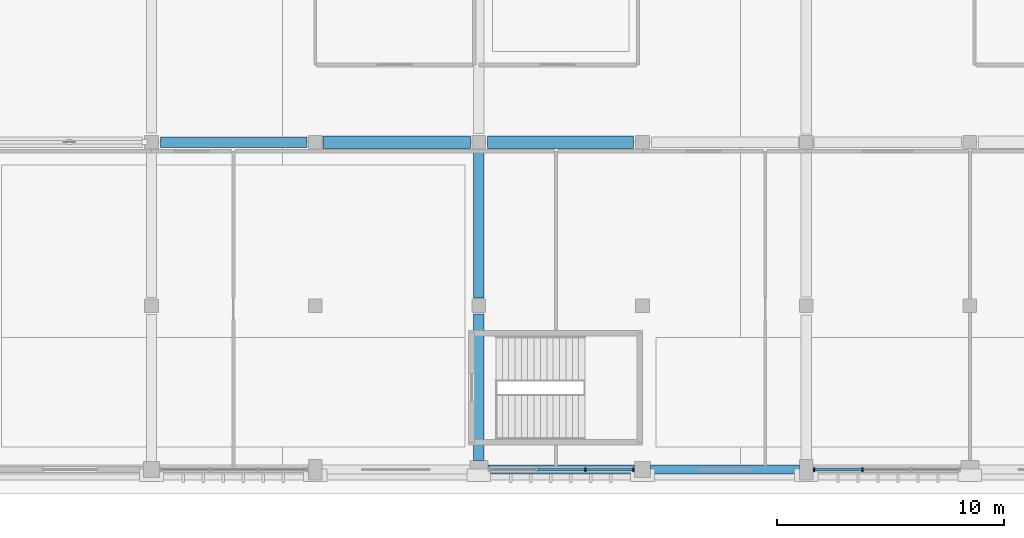
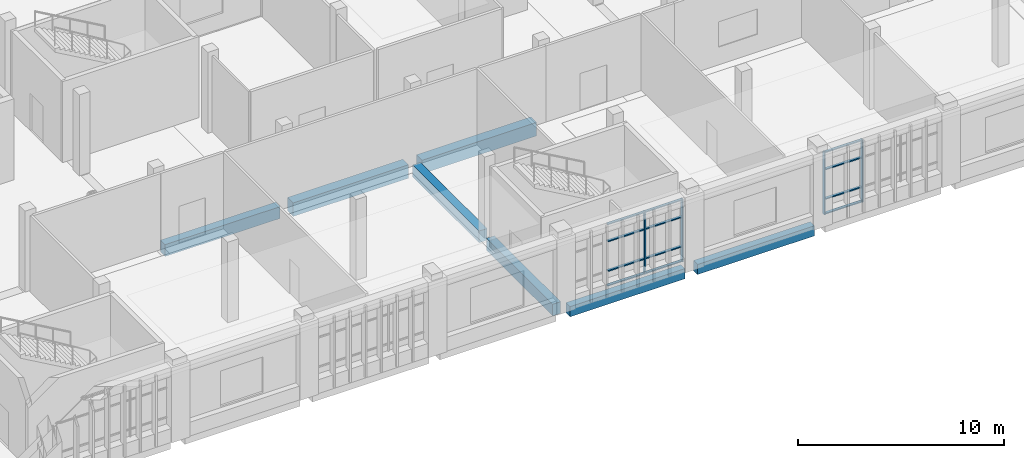
# One storey, part 20 of 82: 16 members, 7 beams, 2 elements without a shape of their own.
"""IFC4 building model written with IfcOpenShell, lengths in metres."""

from ifc_helpers import new_model, si_unit, direction, frame, origin, origin_2d, place, context, subcontext, project, spatial, rectangle, extrude, material, material_profile, profile_set, type_object, element, aggregate, save


model = new_model("IFC4")

# Units and contexts
model_context = context("Model", 3, precision=1e-05, world=origin(), true_north=direction((0.0, 1.0)))
body_context = subcontext(model_context, "Body", "Model", "MODEL_VIEW")
ifc_project = project(units=[si_unit("LENGTHUNIT", "METRE"), si_unit("AREAUNIT", "SQUARE_METRE"), si_unit("VOLUMEUNIT", "CUBIC_METRE"), si_unit("PLANEANGLEUNIT", "RADIAN"), si_unit("MASSUNIT", "GRAM", prefix="KILO")], contexts=[model_context])

# Site, building, storey
site_placement = place(None, origin())
site = spatial("IfcSite", under=ifc_project, at=site_placement, CompositionType="ELEMENT")
building_placement = place(site_placement, origin())
building = spatial("IfcBuilding", under=site, at=building_placement, Name="Sardonyx Promenade Sports Hall", CompositionType="ELEMENT")
storey_placement = place(building_placement, frame((0.0, 0.0, 11.199951171875)))
storey = spatial("IfcBuildingStorey", under=building, at=storey_placement, Name="L02", CompositionType="ELEMENT", Elevation=11.199951171875)

# Beams
ifc_material_1 = material(Name="Concrete C40/50", Category="concrete")
ifc_material_profile_1 = material_profile(ifc_material_1, rectangle(XDim=0.550048828125, YDim=0.800048828125, at=origin_2d()))
ifc_profile_set_1 = profile_set([ifc_material_profile_1], Name="Concrete C40/50")
beam_type_1 = type_object("IfcBeamType", Name="Bm_Girder_RC800", PredefinedType="BEAM", material=ifc_profile_set_1)
beam_1_placement = place(storey_placement, frame((36.35009765625, 14.39990234375, -0.39990234375), z_axis=(1.0, 0.0, 0.0), x_axis=(0.0, 1.0, 0.0)))
element("IfcBeam", 1, at=beam_1_placement, inside=storey, type_object=beam_type_1, Name="Beam BG04 L02 #475", PredefinedType="BEAM", context=body_context, shape_type="SweptSolid", body=[
    extrude(rectangle(XDim=0.550048828125, YDim=0.800048828125, at=origin_2d()), origin(), (0.0, 0.0, 1.0), 6.474853515625),
])
beam_2_placement = place(storey_placement, frame((43.574951171875, 14.39990234375, -0.39990234375), z_axis=(1.0, 0.0, 0.0), x_axis=(0.0, 1.0, 0.0)))
element("IfcBeam", 2, at=beam_2_placement, inside=storey, type_object=beam_type_1, Name="Beam BG04 L02 #476", PredefinedType="BEAM", context=body_context, shape_type="SweptSolid", body=[
    extrude(rectangle(XDim=0.550048828125, YDim=0.800048828125, at=origin_2d()), origin(), (0.0, 0.0, 1.0), 6.425048828125),
])
ifc_material_2 = material(Name="Concrete C40/50", Category="concrete")
ifc_material_profile_2 = material_profile(ifc_material_2, rectangle(XDim=0.449951171875, YDim=0.699951171875, at=origin_2d()))
ifc_profile_set_2 = profile_set([ifc_material_profile_2], Name="Concrete C40/50")
beam_type_2 = type_object("IfcBeamType", Name="Bm_Primary_RC700", PredefinedType="BEAM", material=ifc_profile_set_2)
beam_3_placement = place(storey_placement, frame((29.199951171875, 14.39990234375, -0.349853515625), z_axis=(1.0, 0.0, 0.0), x_axis=(0.0, 1.0, 0.0)))
element("IfcBeam", 3, at=beam_3_placement, inside=storey, type_object=beam_type_2, Name="Beam BG01 L02 #474", PredefinedType="BEAM", context=body_context, shape_type="SweptSolid", body=[
    extrude(rectangle(XDim=0.449951171875, YDim=0.699951171875, at=origin_2d()), origin(), (0.0, 0.0, 1.0), 6.449951171875),
])
beam_4_placement = place(storey_placement, frame((43.199951171875, 0.39990234375, -0.349853515625), z_axis=(0.0, 1.0, 0.0), x_axis=(-1.0, 0.0, 0.0)))
element("IfcBeam", 4, at=beam_4_placement, inside=storey, type_object=beam_type_2, Name="Beam BG01 L02 #592", PredefinedType="BEAM", context=body_context, shape_type="SweptSolid", body=[
    extrude(rectangle(XDim=0.449951171875, YDim=0.699951171875, at=origin_2d()), origin(), (0.0, 0.0, 1.0), 6.4501953125),
])
beam_5_placement = place(storey_placement, frame((43.199951171875, 7.550048828125, -0.349853515625), z_axis=(0.0, 1.0, 0.0), x_axis=(-1.0, 0.0, 0.0)))
element("IfcBeam", 5, at=beam_5_placement, inside=storey, type_object=beam_type_2, Name="Beam BG01 L02 #593", PredefinedType="BEAM", context=body_context, shape_type="SweptSolid", body=[
    extrude(rectangle(XDim=0.449951171875, YDim=0.699951171875, at=origin_2d()), origin(), (0.0, 0.0, 1.0), 6.474853515625),
])
ifc_material_3 = material(Name="Concrete C40/50", Category="concrete")
ifc_material_profile_3 = material_profile(ifc_material_3, rectangle(XDim=0.39990234375, YDim=0.60009765625, at=origin_2d()))
ifc_profile_set_3 = profile_set([ifc_material_profile_3], Name="Concrete C40/50")
beam_type_3 = type_object("IfcBeamType", Name="Bm_Spandrel_RC600", PredefinedType="SPANDREL", material=ifc_profile_set_3)
beam_6_placement = place(storey_placement, frame((43.60009765625, 0.0, -0.300048828125), z_axis=(1.0, 0.0, 0.0), x_axis=(0.0, 1.0, 0.0)))
element("IfcBeam", 6, at=beam_6_placement, inside=storey, type_object=beam_type_3, Name="Beam SPB1 L02 #453", PredefinedType="SPANDREL", context=body_context, shape_type="SweptSolid", body=[
    extrude(rectangle(XDim=0.39990234375, YDim=0.60009765625, at=origin_2d()), origin(), (0.0, 0.0, 1.0), 6.449951171875),
])
beam_7_placement = place(storey_placement, frame((50.75, 0.0, -0.300048828125), z_axis=(1.0, 0.0, 0.0), x_axis=(0.0, 1.0, 0.0)))
element("IfcBeam", 7, at=beam_7_placement, inside=storey, type_object=beam_type_3, Name="Beam SPB1 L02 #454", PredefinedType="SPANDREL", context=body_context, shape_type="SweptSolid", body=[
    extrude(rectangle(XDim=0.39990234375, YDim=0.60009765625, at=origin_2d()), origin(), (0.0, 0.0, 1.0), 6.550048828125),
])

# Curtain wall, members
ifc_material_4 = material(Name="Aluminium 6063-T6", Category="aluminium")
curtain_wall_type = type_object("IfcCurtainWallType", Name="CW_South_L02_640", PredefinedType="USERDEFINED", material=ifc_material_4)
curtain_wall_1_placement = place(storey_placement, origin())
curtain_wall_1 = element("IfcCurtainWall", 8, at=curtain_wall_1_placement, inside=storey, type_object=curtain_wall_type, Name="Curtain wall CW01 cw:L02:036", ObjectType="CURTAIN WALL", PredefinedType="USERDEFINED")
ifc_material_5 = material(Name="Aluminium 6063-T6", Category="aluminium")
ifc_material_profile_4 = material_profile(ifc_material_5, rectangle(XDim=0.06494140625, YDim=0.175048828125, at=origin_2d()))
ifc_profile_set_4 = profile_set([ifc_material_profile_4], Name="Aluminium 6063-T6")
member_type_1 = type_object("IfcMemberType", Name="CW_Mull_175", PredefinedType="MULLION", material=ifc_profile_set_4)
member_1_placement = place(storey_placement, frame((60.084228515625, 0.0, 0.35009765625), z_axis=(0.0, 0.0, 1.0), x_axis=(-1.0, 0.0, 0.0)))
member_1 = element("IfcMember", 9, at=member_1_placement, type_object=member_type_1, Name="Mullion CM02 cw:L02:036 #3", PredefinedType="MULLION", context=body_context, shape_type="SweptSolid", body=[
    extrude(rectangle(XDim=0.06494140625, YDim=0.175048828125, at=origin_2d()), origin(), (0.0, 0.0, 1.0), 3.699951171875),
])
member_2_placement = place(storey_placement, frame((57.952392578125, 0.0, 0.35009765625), z_axis=(0.0, 0.0, 1.0), x_axis=(-1.0, 0.0, 0.0)))
member_2 = element("IfcMember", 10, at=member_2_placement, type_object=member_type_1, Name="Mullion CM02 cw:L02:036 #4", PredefinedType="MULLION", context=body_context, shape_type="SweptSolid", body=[
    extrude(rectangle(XDim=0.06494140625, YDim=0.175048828125, at=origin_2d()), origin(), (0.0, 0.0, 1.0), 3.699951171875),
])

curtain_wall_2_placement = place(storey_placement, origin())
curtain_wall_2 = element("IfcCurtainWall", 11, at=curtain_wall_2_placement, inside=storey, type_object=curtain_wall_type, Name="Curtain wall CW01 cw:L02:037", ObjectType="CURTAIN WALL", PredefinedType="USERDEFINED")
member_3_placement = place(storey_placement, frame((49.99755859375, 0.0, 0.35009765625), z_axis=(0.0, 0.0, 1.0), x_axis=(-1.0, 0.0, 0.0)))
member_3 = element("IfcMember", 12, at=member_3_placement, type_object=member_type_1, Name="Mullion CM02 cw:L02:037 #1", PredefinedType="MULLION", context=body_context, shape_type="SweptSolid", body=[
    extrude(rectangle(XDim=0.06494140625, YDim=0.175048828125, at=origin_2d()), origin(), (0.0, 0.0, 1.0), 3.699951171875),
])
member_4_placement = place(storey_placement, frame((47.882568359375, 0.0, 0.35009765625), z_axis=(0.0, 0.0, 1.0), x_axis=(-1.0, 0.0, 0.0)))
member_4 = element("IfcMember", 13, at=member_4_placement, type_object=member_type_1, Name="Mullion CM02 cw:L02:037 #2", PredefinedType="MULLION", context=body_context, shape_type="SweptSolid", body=[
    extrude(rectangle(XDim=0.06494140625, YDim=0.175048828125, at=origin_2d()), origin(), (0.0, 0.0, 1.0), 3.699951171875),
])

# Member
ifc_material_6 = material(Name="Aluminium 6063-T6", Category="aluminium")
ifc_material_profile_5 = material_profile(ifc_material_6, rectangle(XDim=0.06494140625, YDim=0.139892578125, at=origin_2d()))
ifc_profile_set_5 = profile_set([ifc_material_profile_5], Name="Aluminium 6063-T6")
member_type_2 = type_object("IfcMemberType", Name="CW_Tran_140", PredefinedType="USERDEFINED", material=ifc_profile_set_5)
member_5_placement = place(storey_placement, frame((60.0517578125, 0.0, 0.382568359375), z_axis=(-1.0, 0.0, 0.0), x_axis=(0.0, 0.0, 1.0)))
member_5 = element("IfcMember", 14, at=member_5_placement, type_object=member_type_2, Name="Transom CT02 cw:L02:036 #9", ObjectType="TRANSOM", PredefinedType="USERDEFINED", context=body_context, shape_type="SweptSolid", body=[
    extrude(rectangle(XDim=0.06494140625, YDim=0.139892578125, at=origin_2d()), origin(), (0.0, 0.0, 1.0), 2.066650390625),
])

member_6_placement = place(storey_placement, frame((60.0517578125, 0.0, 1.25), z_axis=(-1.0, 0.0, 0.0), x_axis=(0.0, 0.0, 1.0)))
member_6 = element("IfcMember", 15, at=member_6_placement, type_object=member_type_2, Name="Transom CT02 cw:L02:036 #10", ObjectType="TRANSOM", PredefinedType="USERDEFINED", context=body_context, shape_type="SweptSolid", body=[
    extrude(rectangle(XDim=0.06494140625, YDim=0.139892578125, at=origin_2d()), origin(), (0.0, 0.0, 1.0), 2.066650390625),
])

member_7_placement = place(storey_placement, frame((60.0517578125, 0.0, 3.0), z_axis=(-1.0, 0.0, 0.0), x_axis=(0.0, 0.0, 1.0)))
member_7 = element("IfcMember", 16, at=member_7_placement, type_object=member_type_2, Name="Transom CT02 cw:L02:036 #11", ObjectType="TRANSOM", PredefinedType="USERDEFINED", context=body_context, shape_type="SweptSolid", body=[
    extrude(rectangle(XDim=0.06494140625, YDim=0.139892578125, at=origin_2d()), origin(), (0.0, 0.0, 1.0), 2.066650390625),
])

member_8_placement = place(storey_placement, frame((60.0517578125, 0.0, 4.017578125), z_axis=(-1.0, 0.0, 0.0), x_axis=(0.0, 0.0, 1.0)))
member_8 = element("IfcMember", 17, at=member_8_placement, type_object=member_type_2, Name="Transom CT02 cw:L02:036 #12", ObjectType="TRANSOM", PredefinedType="USERDEFINED", context=body_context, shape_type="SweptSolid", body=[
    extrude(rectangle(XDim=0.06494140625, YDim=0.139892578125, at=origin_2d()), origin(), (0.0, 0.0, 1.0), 2.066650390625),
])

aggregate(curtain_wall_1, [member_1, member_2, member_5, member_6, member_7, member_8])

member_9_placement = place(storey_placement, frame((49.965087890625, 0.0, 0.382568359375), z_axis=(-1.0, 0.0, 0.0), x_axis=(0.0, 0.0, 1.0)))
member_9 = element("IfcMember", 18, at=member_9_placement, type_object=member_type_2, Name="Transom CT02 cw:L02:037 #1", ObjectType="TRANSOM", PredefinedType="USERDEFINED", context=body_context, shape_type="SweptSolid", body=[
    extrude(rectangle(XDim=0.06494140625, YDim=0.139892578125, at=origin_2d()), origin(), (0.0, 0.0, 1.0), 2.050048828125),
])

member_10_placement = place(storey_placement, frame((49.965087890625, 0.0, 1.25), z_axis=(-1.0, 0.0, 0.0), x_axis=(0.0, 0.0, 1.0)))
member_10 = element("IfcMember", 19, at=member_10_placement, type_object=member_type_2, Name="Transom CT02 cw:L02:037 #2", ObjectType="TRANSOM", PredefinedType="USERDEFINED", context=body_context, shape_type="SweptSolid", body=[
    extrude(rectangle(XDim=0.06494140625, YDim=0.139892578125, at=origin_2d()), origin(), (0.0, 0.0, 1.0), 2.050048828125),
])

member_11_placement = place(storey_placement, frame((49.965087890625, 0.0, 3.0), z_axis=(-1.0, 0.0, 0.0), x_axis=(0.0, 0.0, 1.0)))
member_11 = element("IfcMember", 20, at=member_11_placement, type_object=member_type_2, Name="Transom CT02 cw:L02:037 #3", ObjectType="TRANSOM", PredefinedType="USERDEFINED", context=body_context, shape_type="SweptSolid", body=[
    extrude(rectangle(XDim=0.06494140625, YDim=0.139892578125, at=origin_2d()), origin(), (0.0, 0.0, 1.0), 2.050048828125),
])

member_12_placement = place(storey_placement, frame((49.965087890625, 0.0, 4.017578125), z_axis=(-1.0, 0.0, 0.0), x_axis=(0.0, 0.0, 1.0)))
member_12 = element("IfcMember", 21, at=member_12_placement, type_object=member_type_2, Name="Transom CT02 cw:L02:037 #4", ObjectType="TRANSOM", PredefinedType="USERDEFINED", context=body_context, shape_type="SweptSolid", body=[
    extrude(rectangle(XDim=0.06494140625, YDim=0.139892578125, at=origin_2d()), origin(), (0.0, 0.0, 1.0), 2.050048828125),
])

member_13_placement = place(storey_placement, frame((47.85009765625, 0.0, 0.382568359375), z_axis=(-1.0, 0.0, 0.0), x_axis=(0.0, 0.0, 1.0)))
member_13 = element("IfcMember", 22, at=member_13_placement, type_object=member_type_2, Name="Transom CT02 cw:L02:037 #5", ObjectType="TRANSOM", PredefinedType="USERDEFINED", context=body_context, shape_type="SweptSolid", body=[
    extrude(rectangle(XDim=0.06494140625, YDim=0.139892578125, at=origin_2d()), origin(), (0.0, 0.0, 1.0), 2.050048828125),
])

member_14_placement = place(storey_placement, frame((47.85009765625, 0.0, 1.25), z_axis=(-1.0, 0.0, 0.0), x_axis=(0.0, 0.0, 1.0)))
member_14 = element("IfcMember", 23, at=member_14_placement, type_object=member_type_2, Name="Transom CT02 cw:L02:037 #6", ObjectType="TRANSOM", PredefinedType="USERDEFINED", context=body_context, shape_type="SweptSolid", body=[
    extrude(rectangle(XDim=0.06494140625, YDim=0.139892578125, at=origin_2d()), origin(), (0.0, 0.0, 1.0), 2.050048828125),
])

member_15_placement = place(storey_placement, frame((47.85009765625, 0.0, 3.0), z_axis=(-1.0, 0.0, 0.0), x_axis=(0.0, 0.0, 1.0)))
member_15 = element("IfcMember", 24, at=member_15_placement, type_object=member_type_2, Name="Transom CT02 cw:L02:037 #7", ObjectType="TRANSOM", PredefinedType="USERDEFINED", context=body_context, shape_type="SweptSolid", body=[
    extrude(rectangle(XDim=0.06494140625, YDim=0.139892578125, at=origin_2d()), origin(), (0.0, 0.0, 1.0), 2.050048828125),
])

member_16_placement = place(storey_placement, frame((47.85009765625, 0.0, 4.017578125), z_axis=(-1.0, 0.0, 0.0), x_axis=(0.0, 0.0, 1.0)))
member_16 = element("IfcMember", 25, at=member_16_placement, type_object=member_type_2, Name="Transom CT02 cw:L02:037 #8", ObjectType="TRANSOM", PredefinedType="USERDEFINED", context=body_context, shape_type="SweptSolid", body=[
    extrude(rectangle(XDim=0.06494140625, YDim=0.139892578125, at=origin_2d()), origin(), (0.0, 0.0, 1.0), 2.050048828125),
])

aggregate(curtain_wall_2, [member_3, member_4, member_9, member_10, member_11, member_12, member_13, member_14, member_15, member_16])

save(model, "model.ifc")
